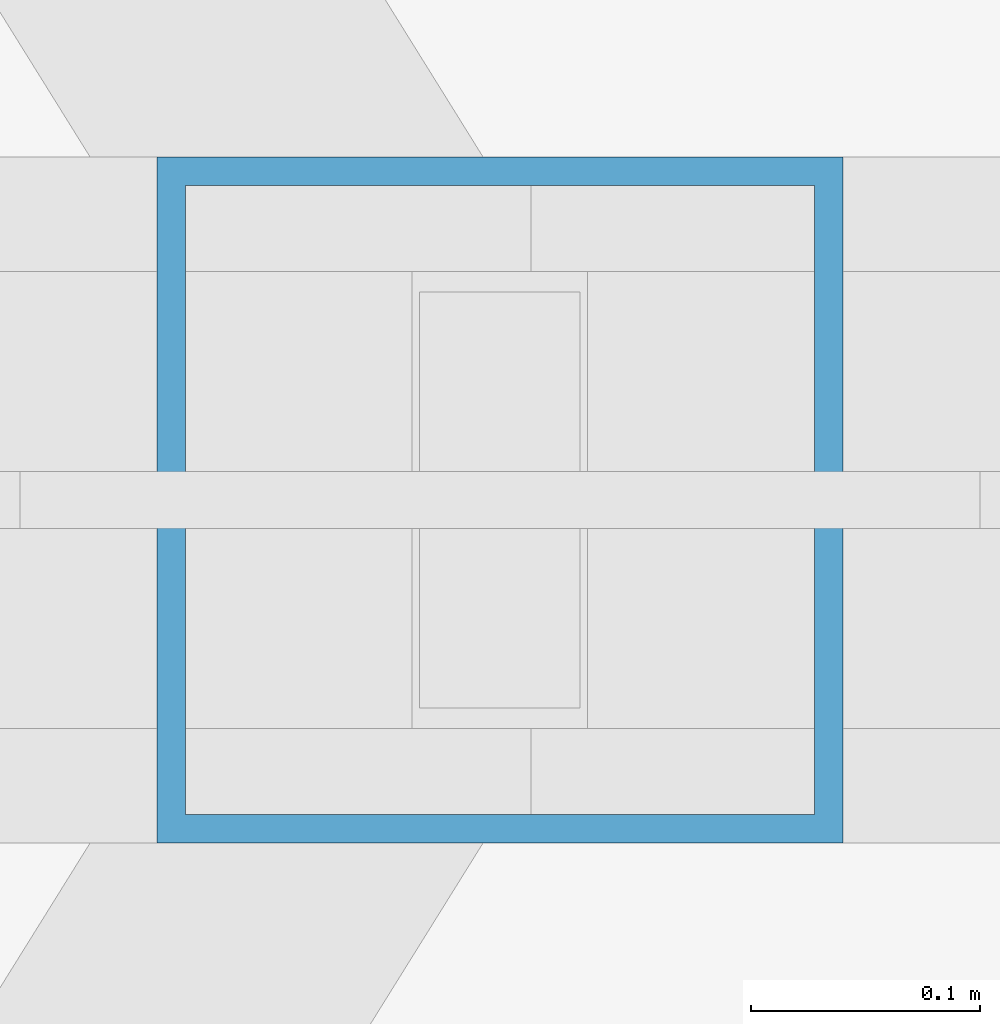
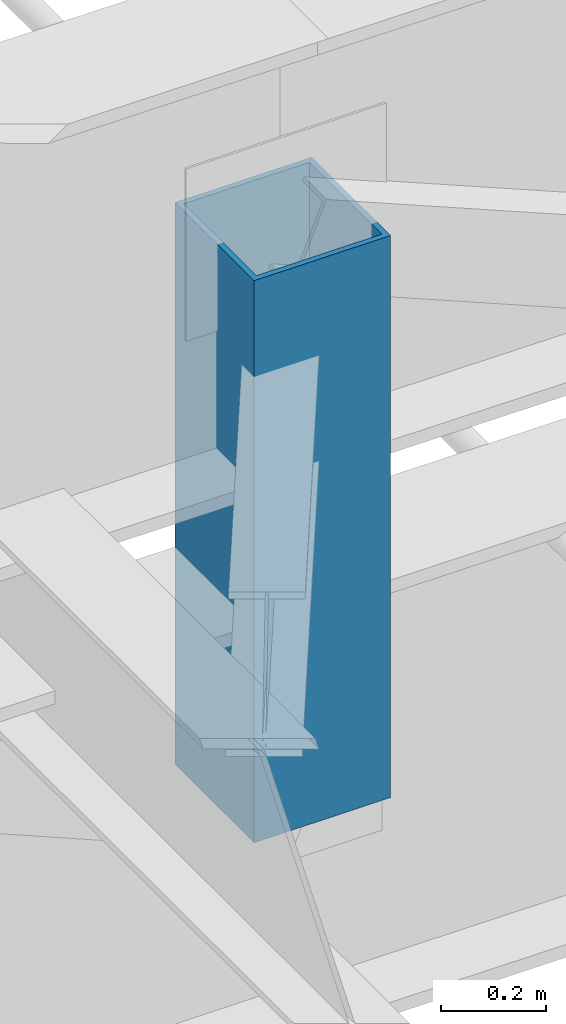
# One storey, part 91 of 184: 1 member.
"""IFC4 building model written with IfcOpenShell, lengths in metres."""

from ifc_helpers import new_model, si_unit, direction, frame, origin, origin_2d, place, context, subcontext, project, spatial, hollow_rectangle, extrude, material, material_profile, profile_set, type_object, element, save


model = new_model("IFC4")

# Units and contexts
model_context = context("Model", 3, precision=1e-05, world=origin(), true_north=direction((0.0, 1.0)))
body_context = subcontext(model_context, "Body", "Model", "MODEL_VIEW")
ifc_project = project(units=[si_unit("LENGTHUNIT", "METRE"), si_unit("AREAUNIT", "SQUARE_METRE"), si_unit("VOLUMEUNIT", "CUBIC_METRE"), si_unit("PLANEANGLEUNIT", "RADIAN"), si_unit("MASSUNIT", "GRAM", prefix="KILO")], contexts=[model_context])

# Site, building, storey
site_placement = place(None, origin())
site = spatial("IfcSite", under=ifc_project, at=site_placement, CompositionType="ELEMENT")
building_placement = place(site_placement, origin())
building = spatial("IfcBuilding", under=site, at=building_placement, Name="Kalgoora Escarpment Arena", CompositionType="ELEMENT")
storey_placement = place(building_placement, frame((0.0, 0.0, 27.60009765625)))
storey = spatial("IfcBuildingStorey", under=building, at=storey_placement, Name="Roof Level", CompositionType="ELEMENT", Elevation=27.60009765625)

# Member
ifc_material = material(Name="Structural steel C450 (450 MPa)", Category="steel")
ifc_material_profile = material_profile(ifc_material, hollow_rectangle(XDim=0.300048828125, YDim=0.300048828125, WallThickness=0.012451171875, at=origin_2d()))
ifc_profile_set = profile_set([ifc_material_profile], Name="Structural steel C450 (450 MPa)")
member_type = type_object("IfcMemberType", Name="MEM-TRUSS-POST", PredefinedType="POST", material=ifc_profile_set)
member_placement = place(storey_placement, frame((133.860107421875, 64.0, -1.64501953125), z_axis=(0.0, 0.0, 1.0), x_axis=(-1.0, 0.0, 0.0)))
element("IfcMember", 1, at=member_placement, inside=storey, type_object=member_type, Name="Radial ROOF TRUSS spine 1 post 2", PredefinedType="POST", context=body_context, shape_type="SweptSolid", body=[
    extrude(hollow_rectangle(XDim=0.300048828125, YDim=0.300048828125, WallThickness=0.012451171875, at=origin_2d()), origin(), (0.0, 0.0, 1.0), 1.304931640625),
])

save(model, "model.ifc")
